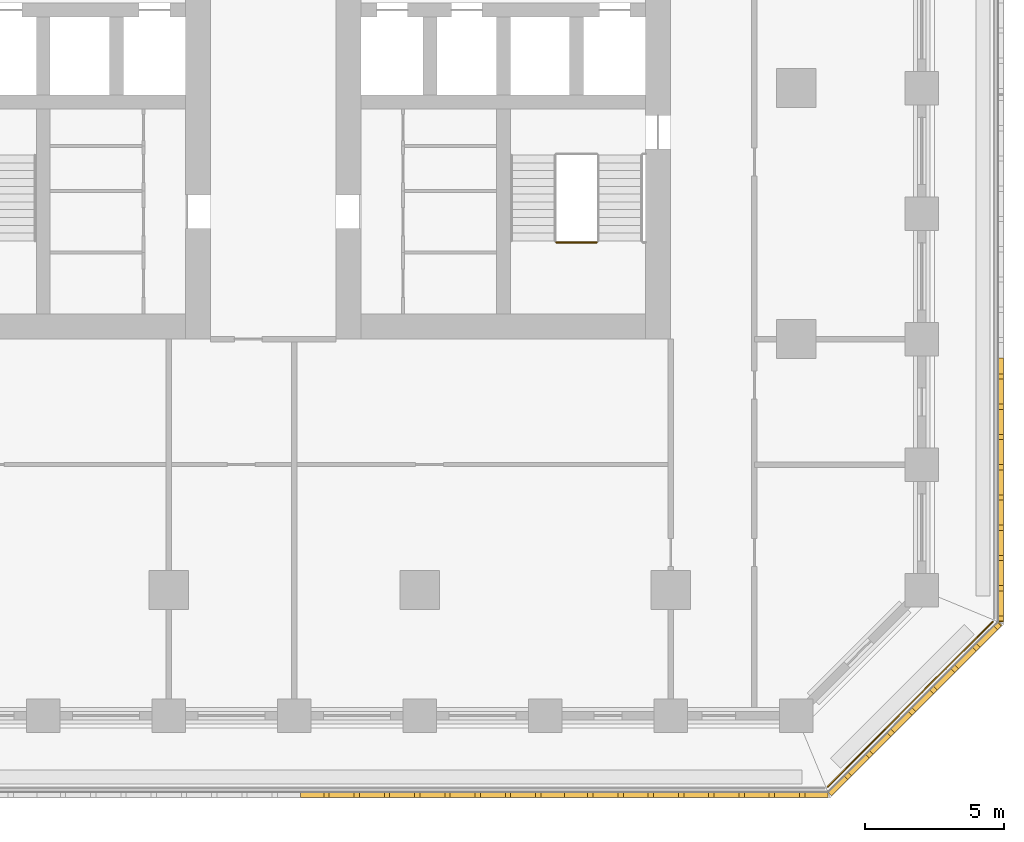
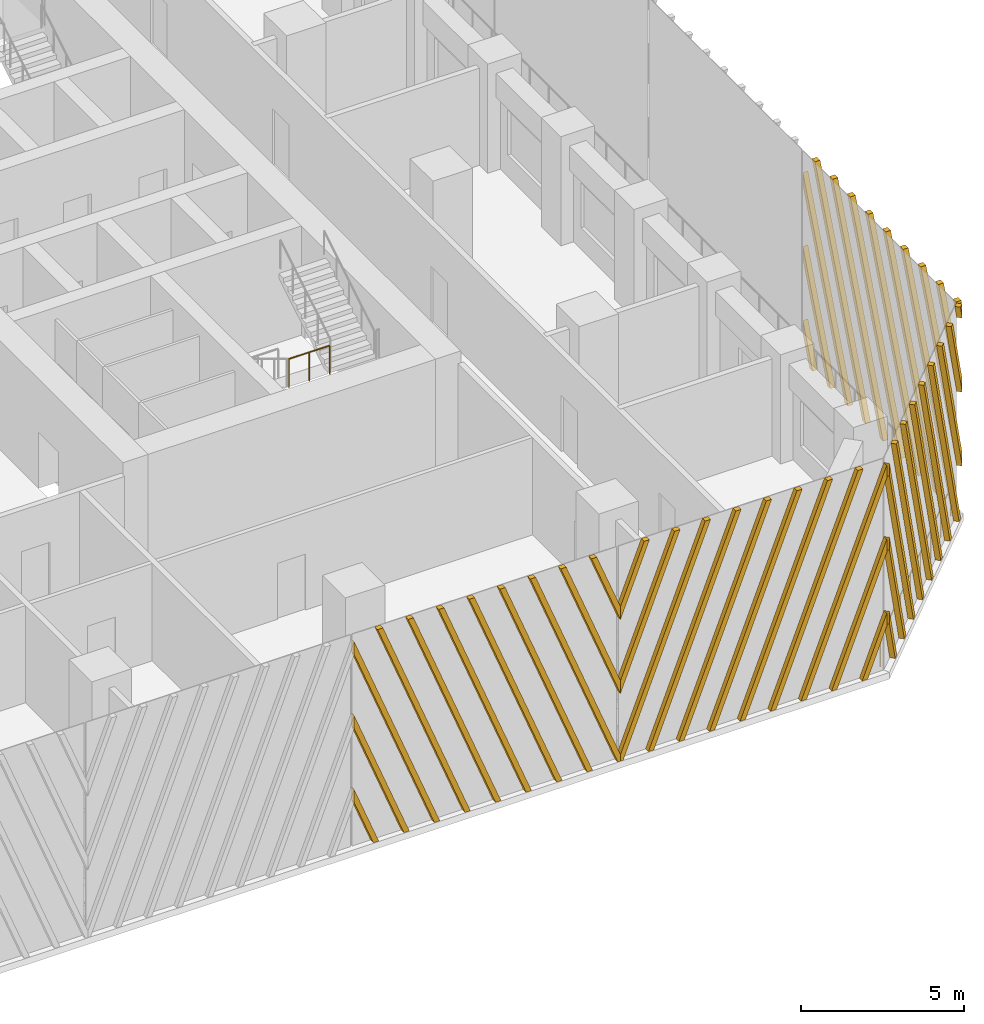
# One storey, part 12 of 19: 4 shading devices, 2 railings.
"""IFC4 building model written with IfcOpenShell, lengths in metres."""

from ifc_helpers import new_model, si_unit, direction, frame, origin, origin_2d, place, context, subcontext, project, spatial, polyline, circle, outline, extrude, source, transform, mapped, material, type_object, element, save


model = new_model("IFC4")

# Units and contexts
model_context = context("Model", 3, precision=1e-05, world=origin(), true_north=direction((0.0, 1.0)))
body_context = subcontext(model_context, "Body", "Model", "MODEL_VIEW")
ifc_project = project(units=[si_unit("LENGTHUNIT", "METRE"), si_unit("AREAUNIT", "SQUARE_METRE"), si_unit("VOLUMEUNIT", "CUBIC_METRE"), si_unit("PLANEANGLEUNIT", "RADIAN"), si_unit("MASSUNIT", "GRAM", prefix="KILO")], contexts=[model_context])

# Site, building, storey
site_placement = place(None, origin())
site = spatial("IfcSite", under=ifc_project, at=site_placement, CompositionType="ELEMENT")
building_placement = place(site_placement, origin())
building = spatial("IfcBuilding", under=site, at=building_placement, Name="Corbel Stack Research Tower", CompositionType="ELEMENT")
storey_placement = place(building_placement, frame((0.0, 0.0, 133.10009765625)))
storey = spatial("IfcBuildingStorey", under=building, at=storey_placement, Name="L30", CompositionType="ELEMENT", Elevation=133.10009765625)

# Railings
ifc_material_1 = material(Name="Steel S355", Category="steel")
railing_type_1 = type_object("IfcRailingType", Name="Stair guard 1100", PredefinedType="GUARDRAIL", material=ifc_material_1)
railing_1_placement = place(storey_placement, frame((13.89990234375, -5.530029296875, 2.0498046875)))
element("IfcRailing", 1, at=railing_1_placement, inside=storey, type_object=railing_type_1, Name="L30 ST-E1 stair guard 2", PredefinedType="GUARDRAIL", context=body_context, shape_type="SweptSolid", body=[
    extrude(circle(Radius=0.02392578125, at=origin_2d()), frame((0.0, 0.0, 1.076171875), z_axis=(1.0, 0.0, 0.0), x_axis=(0.0, 1.0, 0.0)), (0.0, 0.0, 1.0), 1.4501953125),
    extrude(circle(Radius=0.02099609375, at=origin_2d()), origin(), (0.0, 0.0, 1.0), 1.052001953125),
    extrude(circle(Radius=0.02099609375, at=origin_2d()), frame((0.72509765625, 0.0, 0.0)), (0.0, 0.0, 1.0), 1.052001953125),
    extrude(circle(Radius=0.02099609375, at=origin_2d()), frame((1.4501953125, 0.0, 0.0)), (0.0, 0.0, 1.0), 1.052001953125),
])
ifc_material_2 = material(Name="Powder-coated steel guard", Category="steel")
railing_type_2 = type_object("IfcRailingType", Name="Steel and glass guard 1100", PredefinedType="GUARDRAIL", material=ifc_material_2)
railing_2_placement = place(storey_placement, frame((23.627685546875, -25.04931640625, 0.0)))
element("IfcRailing", 2, at=railing_2_placement, inside=storey, type_object=railing_type_2, Name="Loggia guard L30 SE", PredefinedType="GUARDRAIL", context=body_context, shape_type="SweptSolid", body=[
    extrude(circle(Radius=0.02392578125, at=origin_2d()), frame((0.0, 0.0, 1.076171875), z_axis=(0.707106781187, 0.707106781187, 0.0), x_axis=(-0.707106781187, 0.707106781187, 0.0)), (0.0, 0.0, 1.0), 8.37451171875),
    extrude(circle(Radius=0.02099609375, at=origin_2d()), origin(), (0.0, 0.0, 1.0), 1.052001953125),
    extrude(circle(Radius=0.02099609375, at=origin_2d()), frame((0.845947265625, 0.845947265625, 0.0)), (0.0, 0.0, 1.0), 1.052001953125),
    extrude(circle(Radius=0.02099609375, at=origin_2d()), frame((1.69189453125, 1.69189453125, 0.0)), (0.0, 0.0, 1.0), 1.052001953125),
    extrude(circle(Radius=0.02099609375, at=origin_2d()), frame((2.537841796875, 2.537841796875, 0.0)), (0.0, 0.0, 1.0), 1.052001953125),
    extrude(circle(Radius=0.02099609375, at=origin_2d()), frame((3.3837890625, 3.3837890625, 0.0)), (0.0, 0.0, 1.0), 1.052001953125),
    extrude(circle(Radius=0.02099609375, at=origin_2d()), frame((4.229736328125, 4.229736328125, 0.0)), (0.0, 0.0, 1.0), 1.052001953125),
    extrude(circle(Radius=0.02099609375, at=origin_2d()), frame((5.07568359375, 5.07568359375, 0.0)), (0.0, 0.0, 1.0), 1.052001953125),
    extrude(circle(Radius=0.02099609375, at=origin_2d()), frame((5.921630859375, 5.921630859375, 0.0)), (0.0, 0.0, 1.0), 1.052001953125),
])

# Shading devices
ifc_material_3 = material(Name="Precast terracotta", Category="masonry")
shading_device_type = type_object("IfcShadingDeviceType", Name="Terracotta screen panel", PredefinedType="USERDEFINED", material=ifc_material_3)
shared_shape_1 = source(origin(), body_context, "Body", "SweptSolid", [
    extrude(outline(polyline([(1.030517578125, 7.949951171875), (0.840576171875, 7.949951171875), (0.0, 5.7978515625), (0.0, 5.311279296875), (1.030517578125, 7.949951171875)])), frame((0.0, 0.0, 0.0), z_axis=(0.0, -1.0, 0.0), x_axis=(1.0, 0.0, 0.0)), (0.0, 0.0, 1.0), 0.179931640625),
    extrude(outline(polyline([(2.115234375, 7.949951171875), (1.92529296875, 7.949951171875), (0.0, 3.0205078125), (0.0, 2.533935546875), (2.115234375, 7.949951171875)])), frame((0.0, 0.0, 0.0), z_axis=(0.0, -1.0, 0.0), x_axis=(1.0, 0.0, 0.0)), (0.0, 0.0, 1.0), 0.179931640625),
    extrude(outline(polyline([(0.094970703125, 0.0), (3.199951171875, 7.949951171875), (3.010009765625, 7.949951171875), (0.0, 0.2431640625), (0.0, 0.0), (0.094970703125, 0.0)])), frame((0.0, 0.0, 0.0), z_axis=(0.0, -1.0, 0.0), x_axis=(1.0, 0.0, 0.0)), (0.0, 0.0, 1.0), 0.179931640625),
    extrude(outline(polyline([(1.1796875, 0.0), (4.284423828125, 7.949951171875), (4.094482421875, 7.949951171875), (0.98974609375, 0.0), (1.1796875, 0.0)])), frame((0.0, 0.0, 0.0), z_axis=(0.0, -1.0, 0.0), x_axis=(1.0, 0.0, 0.0)), (0.0, 0.0, 1.0), 0.179931640625),
    extrude(outline(polyline([(2.264404296875, 0.0), (5.369140625, 7.949951171875), (5.17919921875, 7.949951171875), (2.07421875, 0.0), (2.264404296875, 0.0)])), frame((0.0, 0.0, 0.0), z_axis=(0.0, -1.0, 0.0), x_axis=(1.0, 0.0, 0.0)), (0.0, 0.0, 1.0), 0.179931640625),
    extrude(outline(polyline([(3.34912109375, 0.0), (6.453857421875, 7.949951171875), (6.263916015625, 7.949951171875), (3.158935546875, 0.0), (3.34912109375, 0.0)])), frame((0.0, 0.0, 0.0), z_axis=(0.0, -1.0, 0.0), x_axis=(1.0, 0.0, 0.0)), (0.0, 0.0, 1.0), 0.179931640625),
    extrude(outline(polyline([(4.43359375, 0.0), (7.53857421875, 7.949951171875), (7.348388671875, 7.949951171875), (4.24365234375, 0.0), (4.43359375, 0.0)])), frame((0.0, 0.0, 0.0), z_axis=(0.0, -1.0, 0.0), x_axis=(1.0, 0.0, 0.0)), (0.0, 0.0, 1.0), 0.179931640625),
    extrude(outline(polyline([(5.518310546875, 0.0), (8.623291015625, 7.949951171875), (8.43310546875, 7.949951171875), (5.328369140625, 0.0), (5.518310546875, 0.0)])), frame((0.0, 0.0, 0.0), z_axis=(0.0, -1.0, 0.0), x_axis=(1.0, 0.0, 0.0)), (0.0, 0.0, 1.0), 0.179931640625),
    extrude(outline(polyline([(6.60302734375, 0.0), (9.45556640625, 7.30419921875), (9.45556640625, 7.790771484375), (6.4130859375, 0.0), (6.60302734375, 0.0)])), frame((0.0, 0.0, 0.0), z_axis=(0.0, -1.0, 0.0), x_axis=(1.0, 0.0, 0.0)), (0.0, 0.0, 1.0), 0.179931640625),
    extrude(outline(polyline([(7.687744140625, 0.0), (9.45556640625, 4.52685546875), (9.45556640625, 5.013427734375), (7.497802734375, 0.0), (7.687744140625, 0.0)])), frame((0.0, 0.0, 0.0), z_axis=(0.0, -1.0, 0.0), x_axis=(1.0, 0.0, 0.0)), (0.0, 0.0, 1.0), 0.179931640625),
    extrude(outline(polyline([(8.772216796875, 0.0), (9.45556640625, 1.74951171875), (9.45556640625, 2.236083984375), (8.582275390625, 0.0), (8.772216796875, 0.0)])), frame((0.0, 0.0, 0.0), z_axis=(0.0, -1.0, 0.0), x_axis=(1.0, 0.0, 0.0)), (0.0, 0.0, 1.0), 0.179931640625),
])
shading_device_1_placement = place(storey_placement, frame((14.18359375, -25.25, 0.0), z_axis=(0.0, 0.0, 1.0), x_axis=(1.0, 0.0, 0.0)))
element("IfcShadingDevice", 3, at=shading_device_1_placement, inside=storey, type_object=shading_device_type, Name="Terracotta screen L30 S5", ObjectType="SCREEN", PredefinedType="USERDEFINED", context=body_context, shape_type="MappedRepresentation", body=[
    mapped(shared_shape_1, transform((0.0, 0.0, 0.0))),
])
shared_shape_2 = source(origin(), body_context, "Body", "SweptSolid", [
    extrude(outline(polyline([(0.873291015625, 0.0), (0.0, 2.236083984375), (0.0, 1.74951171875), (0.683349609375, 0.0), (0.873291015625, 0.0)])), frame((0.0, 0.0, 0.0), z_axis=(0.0, -1.0, 0.0), x_axis=(1.0, 0.0, 0.0)), (0.0, 0.0, 1.0), 0.179931640625),
    extrude(outline(polyline([(1.9580078125, 0.0), (0.0, 5.013427734375), (0.0, 4.52685546875), (1.76806640625, 0.0), (1.9580078125, 0.0)])), frame((0.0, 0.0, 0.0), z_axis=(0.0, -1.0, 0.0), x_axis=(1.0, 0.0, 0.0)), (0.0, 0.0, 1.0), 0.179931640625),
    extrude(outline(polyline([(3.04248046875, 0.0), (0.0, 7.790771484375), (0.0, 7.30419921875), (2.8525390625, 0.0), (3.04248046875, 0.0)])), frame((0.0, 0.0, 0.0), z_axis=(0.0, -1.0, 0.0), x_axis=(1.0, 0.0, 0.0)), (0.0, 0.0, 1.0), 0.179931640625),
    extrude(outline(polyline([(4.127197265625, 0.0), (1.0224609375, 7.949951171875), (0.83251953125, 7.949951171875), (3.937255859375, 0.0), (4.127197265625, 0.0)])), frame((0.0, 0.0, 0.0), z_axis=(0.0, -1.0, 0.0), x_axis=(1.0, 0.0, 0.0)), (0.0, 0.0, 1.0), 0.179931640625),
    extrude(outline(polyline([(5.2119140625, 0.0), (2.107177734375, 7.949951171875), (1.9169921875, 7.949951171875), (5.02197265625, 0.0), (5.2119140625, 0.0)])), frame((0.0, 0.0, 0.0), z_axis=(0.0, -1.0, 0.0), x_axis=(1.0, 0.0, 0.0)), (0.0, 0.0, 1.0), 0.179931640625),
    extrude(outline(polyline([(6.296630859375, 0.0), (3.19189453125, 7.949951171875), (3.001708984375, 7.949951171875), (6.106689453125, 0.0), (6.296630859375, 0.0)])), frame((0.0, 0.0, 0.0), z_axis=(0.0, -1.0, 0.0), x_axis=(1.0, 0.0, 0.0)), (0.0, 0.0, 1.0), 0.179931640625),
    extrude(outline(polyline([(7.38134765625, 0.0), (4.276611328125, 7.949951171875), (4.08642578125, 7.949951171875), (7.19140625, 0.0), (7.38134765625, 0.0)])), frame((0.0, 0.0, 0.0), z_axis=(0.0, -1.0, 0.0), x_axis=(1.0, 0.0, 0.0)), (0.0, 0.0, 1.0), 0.179931640625),
    extrude(outline(polyline([(8.466064453125, 0.0), (5.361083984375, 7.949951171875), (5.171142578125, 7.949951171875), (8.27587890625, 0.0), (8.466064453125, 0.0)])), frame((0.0, 0.0, 0.0), z_axis=(0.0, -1.0, 0.0), x_axis=(1.0, 0.0, 0.0)), (0.0, 0.0, 1.0), 0.179931640625),
    extrude(outline(polyline([(9.45556640625, 0.0), (9.45556640625, 0.2431640625), (6.44580078125, 7.949951171875), (6.255859375, 7.949951171875), (9.360595703125, 0.0), (9.45556640625, 0.0)])), frame((0.0, 0.0, 0.0), z_axis=(0.0, -1.0, 0.0), x_axis=(1.0, 0.0, 0.0)), (0.0, 0.0, 1.0), 0.179931640625),
    extrude(outline(polyline([(7.530517578125, 7.949951171875), (7.34033203125, 7.949951171875), (9.45556640625, 2.533935546875), (9.45556640625, 3.0205078125), (7.530517578125, 7.949951171875)])), frame((0.0, 0.0, 0.0), z_axis=(0.0, -1.0, 0.0), x_axis=(1.0, 0.0, 0.0)), (0.0, 0.0, 1.0), 0.179931640625),
    extrude(outline(polyline([(8.614990234375, 7.949951171875), (8.425048828125, 7.949951171875), (9.45556640625, 5.311279296875), (9.45556640625, 5.7978515625), (8.614990234375, 7.949951171875)])), frame((0.0, 0.0, 0.0), z_axis=(0.0, -1.0, 0.0), x_axis=(1.0, 0.0, 0.0)), (0.0, 0.0, 1.0), 0.179931640625),
])
shading_device_2_placement = place(storey_placement, frame((4.727783203125, -25.25, 0.0), z_axis=(0.0, 0.0, 1.0), x_axis=(1.0, 0.0, 0.0)))
element("IfcShadingDevice", 4, at=shading_device_2_placement, inside=storey, type_object=shading_device_type, Name="Terracotta screen L30 S4", ObjectType="SCREEN", PredefinedType="USERDEFINED", context=body_context, shape_type="MappedRepresentation", body=[
    mapped(shared_shape_2, transform((0.0, 0.0, 0.0))),
])
shared_shape_3 = source(origin(), body_context, "Body", "SweptSolid", [
    extrude(outline(polyline([(0.873291015625, 0.0), (0.0, 2.236083984375), (0.0, 1.74951171875), (0.683349609375, 0.0), (0.873291015625, 0.0)])), frame((0.0, 0.0, 0.0), z_axis=(0.0, -1.0, 0.0), x_axis=(1.0, 0.0, 0.0)), (0.0, 0.0, 1.0), 0.179931640625),
    extrude(outline(polyline([(1.9580078125, 0.0), (0.0, 5.013427734375), (0.0, 4.52685546875), (1.76806640625, 0.0), (1.9580078125, 0.0)])), frame((0.0, 0.0, 0.0), z_axis=(0.0, -1.0, 0.0), x_axis=(1.0, 0.0, 0.0)), (0.0, 0.0, 1.0), 0.179931640625),
    extrude(outline(polyline([(3.04248046875, 0.0), (0.0, 7.790771484375), (0.0, 7.30419921875), (2.8525390625, 0.0), (3.04248046875, 0.0)])), frame((0.0, 0.0, 0.0), z_axis=(0.0, -1.0, 0.0), x_axis=(1.0, 0.0, 0.0)), (0.0, 0.0, 1.0), 0.179931640625),
    extrude(outline(polyline([(4.127197265625, 0.0), (1.0224609375, 7.949951171875), (0.83251953125, 7.949951171875), (3.937255859375, 0.0), (4.127197265625, 0.0)])), frame((0.0, 0.0, 0.0), z_axis=(0.0, -1.0, 0.0), x_axis=(1.0, 0.0, 0.0)), (0.0, 0.0, 1.0), 0.179931640625),
    extrude(outline(polyline([(5.2119140625, 0.0), (2.107177734375, 7.949951171875), (1.9169921875, 7.949951171875), (5.02197265625, 0.0), (5.2119140625, 0.0)])), frame((0.0, 0.0, 0.0), z_axis=(0.0, -1.0, 0.0), x_axis=(1.0, 0.0, 0.0)), (0.0, 0.0, 1.0), 0.179931640625),
    extrude(outline(polyline([(6.296630859375, 0.0), (3.19189453125, 7.949951171875), (3.001708984375, 7.949951171875), (6.106689453125, 0.0), (6.296630859375, 0.0)])), frame((0.0, 0.0, 0.0), z_axis=(0.0, -1.0, 0.0), x_axis=(1.0, 0.0, 0.0)), (0.0, 0.0, 1.0), 0.179931640625),
    extrude(outline(polyline([(7.38134765625, 0.0), (4.276611328125, 7.949951171875), (4.08642578125, 7.949951171875), (7.19140625, 0.0), (7.38134765625, 0.0)])), frame((0.0, 0.0, 0.0), z_axis=(0.0, -1.0, 0.0), x_axis=(1.0, 0.0, 0.0)), (0.0, 0.0, 1.0), 0.179931640625),
    extrude(outline(polyline([(8.466064453125, 0.0), (5.361083984375, 7.949951171875), (5.171142578125, 7.949951171875), (8.27587890625, 0.0), (8.466064453125, 0.0)])), frame((0.0, 0.0, 0.0), z_axis=(0.0, -1.0, 0.0), x_axis=(1.0, 0.0, 0.0)), (0.0, 0.0, 1.0), 0.179931640625),
    extrude(outline(polyline([(6.44580078125, 7.949951171875), (6.255859375, 7.949951171875), (8.64208984375, 1.839599609375), (8.64208984375, 2.326171875), (6.44580078125, 7.949951171875)])), frame((0.0, 0.0, 0.0), z_axis=(0.0, -1.0, 0.0), x_axis=(1.0, 0.0, 0.0)), (0.0, 0.0, 1.0), 0.179931640625),
    extrude(outline(polyline([(7.530517578125, 7.949951171875), (7.34033203125, 7.949951171875), (8.64208984375, 4.616943359375), (8.64208984375, 5.103515625), (7.530517578125, 7.949951171875)])), frame((0.0, 0.0, 0.0), z_axis=(0.0, -1.0, 0.0), x_axis=(1.0, 0.0, 0.0)), (0.0, 0.0, 1.0), 0.179931640625),
    extrude(outline(polyline([(8.614990234375, 7.949951171875), (8.425048828125, 7.949951171875), (8.64208984375, 7.394287109375), (8.64208984375, 7.880859375), (8.614990234375, 7.949951171875)])), frame((0.0, 0.0, 0.0), z_axis=(0.0, -1.0, 0.0), x_axis=(1.0, 0.0, 0.0)), (0.0, 0.0, 1.0), 0.179931640625),
])
shading_device_3_placement = place(storey_placement, frame((23.63916015625, -25.25, 0.0), z_axis=(0.0, 0.0, 1.0), x_axis=(0.707106781187, 0.707106781187, 0.0)))
element("IfcShadingDevice", 5, at=shading_device_3_placement, inside=storey, type_object=shading_device_type, Name="Terracotta screen L30 SE1", ObjectType="SCREEN", PredefinedType="USERDEFINED", context=body_context, shape_type="MappedRepresentation", body=[
    mapped(shared_shape_3, transform((0.0, 0.0, 0.0))),
])
shared_shape_4 = source(origin(), body_context, "Body", "SweptSolid", [
    extrude(outline(polyline([(0.217041015625, 7.949951171875), (0.027099609375, 7.949951171875), (0.0, 7.880859375), (0.0, 7.394287109375), (0.217041015625, 7.949951171875)])), frame((0.0, 0.0, 0.0), z_axis=(0.0, -1.0, 0.0), x_axis=(1.0, 0.0, 0.0)), (0.0, 0.0, 1.0), 0.179931640625),
    extrude(outline(polyline([(1.3017578125, 7.949951171875), (1.11181640625, 7.949951171875), (0.0, 5.103515625), (0.0, 4.616943359375), (1.3017578125, 7.949951171875)])), frame((0.0, 0.0, 0.0), z_axis=(0.0, -1.0, 0.0), x_axis=(1.0, 0.0, 0.0)), (0.0, 0.0, 1.0), 0.179931640625),
    extrude(outline(polyline([(2.386474609375, 7.949951171875), (2.1962890625, 7.949951171875), (0.0, 2.326171875), (0.0, 1.839599609375), (2.386474609375, 7.949951171875)])), frame((0.0, 0.0, 0.0), z_axis=(0.0, -1.0, 0.0), x_axis=(1.0, 0.0, 0.0)), (0.0, 0.0, 1.0), 0.179931640625),
    extrude(outline(polyline([(0.3662109375, 0.0), (3.470947265625, 7.949951171875), (3.281005859375, 7.949951171875), (0.17626953125, 0.0), (0.3662109375, 0.0)])), frame((0.0, 0.0, 0.0), z_axis=(0.0, -1.0, 0.0), x_axis=(1.0, 0.0, 0.0)), (0.0, 0.0, 1.0), 0.179931640625),
    extrude(outline(polyline([(1.45068359375, 0.0), (4.5556640625, 7.949951171875), (4.36572265625, 7.949951171875), (1.2607421875, 0.0), (1.45068359375, 0.0)])), frame((0.0, 0.0, 0.0), z_axis=(0.0, -1.0, 0.0), x_axis=(1.0, 0.0, 0.0)), (0.0, 0.0, 1.0), 0.179931640625),
    extrude(outline(polyline([(2.535400390625, 0.0), (5.640380859375, 7.949951171875), (5.4501953125, 7.949951171875), (2.345458984375, 0.0), (2.535400390625, 0.0)])), frame((0.0, 0.0, 0.0), z_axis=(0.0, -1.0, 0.0), x_axis=(1.0, 0.0, 0.0)), (0.0, 0.0, 1.0), 0.179931640625),
    extrude(outline(polyline([(3.6201171875, 0.0), (6.72509765625, 7.949951171875), (6.534912109375, 7.949951171875), (3.43017578125, 0.0), (3.6201171875, 0.0)])), frame((0.0, 0.0, 0.0), z_axis=(0.0, -1.0, 0.0), x_axis=(1.0, 0.0, 0.0)), (0.0, 0.0, 1.0), 0.179931640625),
    extrude(outline(polyline([(4.704833984375, 0.0), (7.809814453125, 7.949951171875), (7.61962890625, 7.949951171875), (4.514892578125, 0.0), (4.704833984375, 0.0)])), frame((0.0, 0.0, 0.0), z_axis=(0.0, -1.0, 0.0), x_axis=(1.0, 0.0, 0.0)), (0.0, 0.0, 1.0), 0.179931640625),
    extrude(outline(polyline([(5.78955078125, 0.0), (8.894287109375, 7.949951171875), (8.704345703125, 7.949951171875), (5.599609375, 0.0), (5.78955078125, 0.0)])), frame((0.0, 0.0, 0.0), z_axis=(0.0, -1.0, 0.0), x_axis=(1.0, 0.0, 0.0)), (0.0, 0.0, 1.0), 0.179931640625),
    extrude(outline(polyline([(6.874267578125, 0.0), (9.45556640625, 6.60986328125), (9.45556640625, 7.096435546875), (6.68408203125, 0.0), (6.874267578125, 0.0)])), frame((0.0, 0.0, 0.0), z_axis=(0.0, -1.0, 0.0), x_axis=(1.0, 0.0, 0.0)), (0.0, 0.0, 1.0), 0.179931640625),
    extrude(outline(polyline([(7.958740234375, 0.0), (9.45556640625, 3.83251953125), (9.45556640625, 4.319091796875), (7.768798828125, 0.0), (7.958740234375, 0.0)])), frame((0.0, 0.0, 0.0), z_axis=(0.0, -1.0, 0.0), x_axis=(1.0, 0.0, 0.0)), (0.0, 0.0, 1.0), 0.179931640625),
    extrude(outline(polyline([(9.04345703125, 0.0), (9.45556640625, 1.055419921875), (9.45556640625, 1.541748046875), (8.853515625, 0.0), (9.04345703125, 0.0)])), frame((0.0, 0.0, 0.0), z_axis=(0.0, -1.0, 0.0), x_axis=(1.0, 0.0, 0.0)), (0.0, 0.0, 1.0), 0.179931640625),
])
shading_device_4_placement = place(storey_placement, frame((29.75, -19.13916015625, 0.0), z_axis=(0.0, 0.0, 1.0), x_axis=(0.0, 1.0, 0.0)))
element("IfcShadingDevice", 6, at=shading_device_4_placement, inside=storey, type_object=shading_device_type, Name="Terracotta screen L30 E1", ObjectType="SCREEN", PredefinedType="USERDEFINED", context=body_context, shape_type="MappedRepresentation", body=[
    mapped(shared_shape_4, transform((0.0, 0.0, 0.0))),
])

save(model, "model.ifc")
